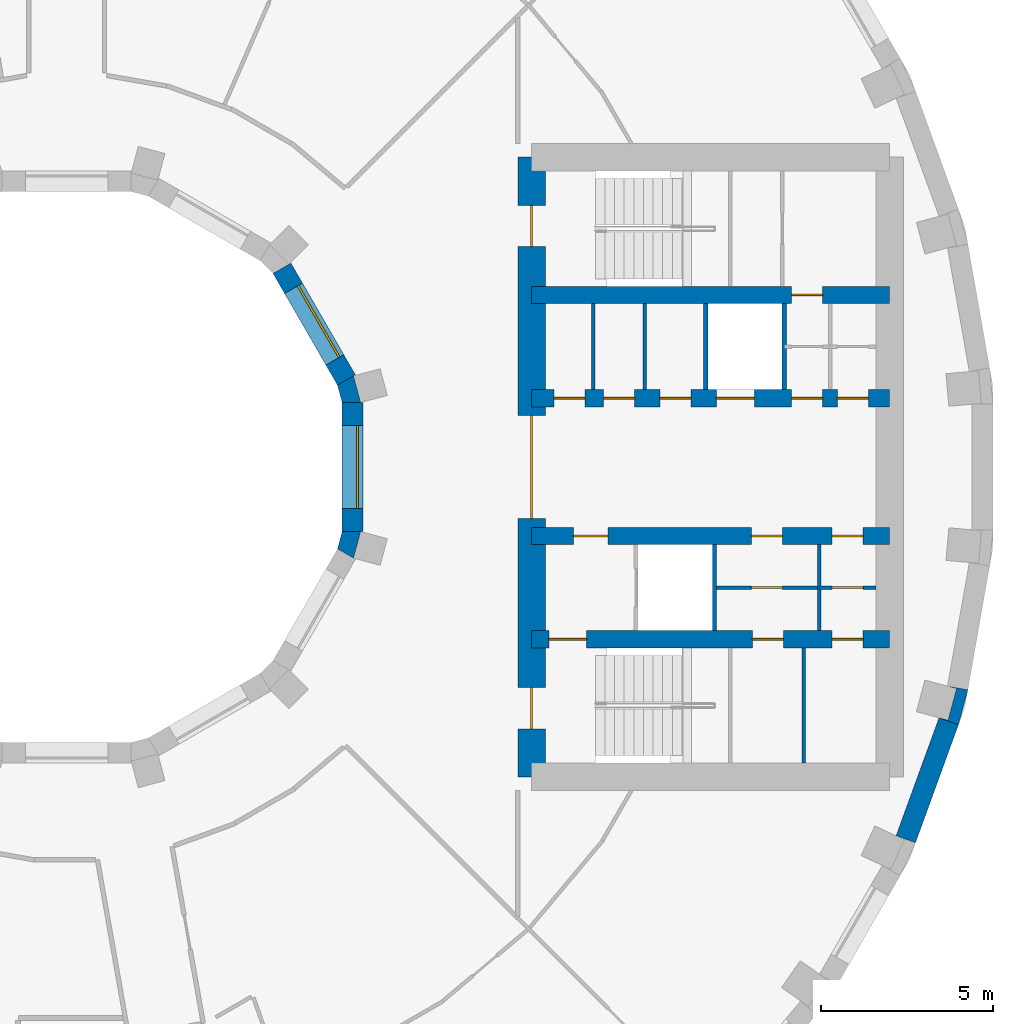
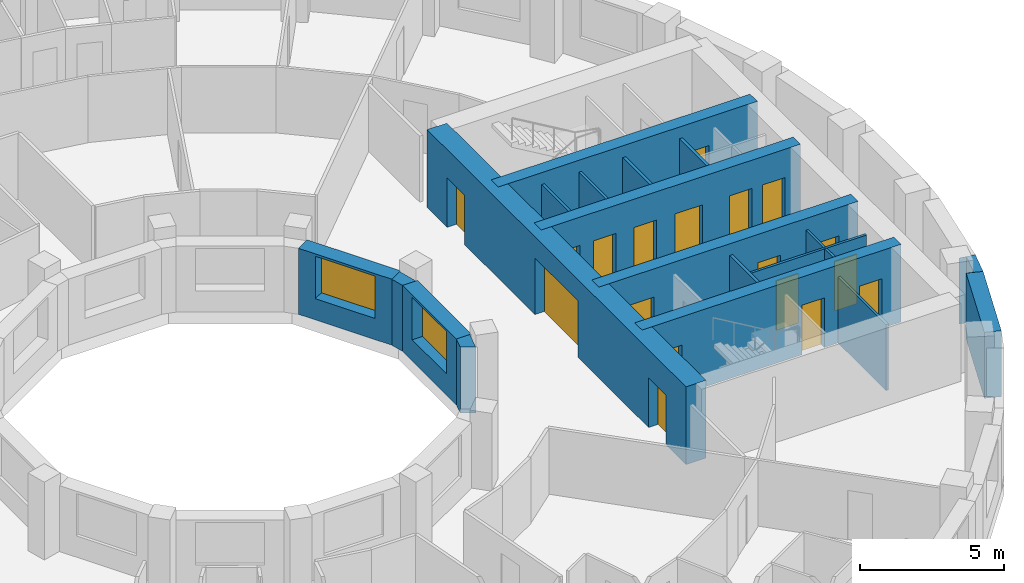
# One storey, part 9 of 14: 20 walls, 18 doors, 2 windows, 20 openings.
"""IFC4 building model written with IfcOpenShell, lengths in metres."""

from ifc_helpers import new_model, si_unit, direction, frame, frame_2d, origin, place, context, subcontext, project, spatial, polyline, rectangle, outline, extrude, material, layer, layer_set, type_object, element, fill, save


model = new_model("IFC4")

# Units and contexts
model_context = context("Model", 3, precision=1e-05, world=origin(), true_north=direction((0.0, 1.0)))
body_context = subcontext(model_context, "Body", "Model", "MODEL_VIEW")
ifc_project = project(units=[si_unit("LENGTHUNIT", "METRE"), si_unit("AREAUNIT", "SQUARE_METRE"), si_unit("VOLUMEUNIT", "CUBIC_METRE"), si_unit("PLANEANGLEUNIT", "RADIAN"), si_unit("MASSUNIT", "GRAM", prefix="KILO")], contexts=[model_context])

# Site, building, storey
site_placement = place(None, origin())
site = spatial("IfcSite", under=ifc_project, at=site_placement, CompositionType="ELEMENT")
building_placement = place(site_placement, origin())
building = spatial("IfcBuilding", under=site, at=building_placement, Name="Saqina Gate Tower", CompositionType="ELEMENT")
storey_placement = place(building_placement, frame((0.0, 0.0, 101.800048828125)))
storey = spatial("IfcBuildingStorey", under=building, at=storey_placement, Name="L28", CompositionType="ELEMENT", Elevation=101.800048828125)

# Walls
ifc_material_1 = material(Name="Brick masonry (buff)", Category="masonry")
wall_type_1 = type_object("IfcWallType", Name="BRICK PIER COPING BUFF", PredefinedType="SOLIDWALL", material=ifc_material_1)
wall_1_placement = place(storey_placement, origin())
element("IfcWall", 1, at=wall_1_placement, inside=storey, type_object=wall_type_1, Name="Pier cap L28 column 35", PredefinedType="SOLIDWALL", context=body_context, shape_type="SweptSolid", body=[
    extrude(outline(polyline([(25.89892578125, -7.485595703125), (26.171875, -6.466796875), (25.5810546875, -6.36279296875), (25.8408203125, -6.43212890625), (25.5947265625, -7.349853515625), (25.335205078125, -7.2802734375), (25.89892578125, -7.485595703125)])), origin(), (0.0, 0.0, 1.0), 2.800048828125),
])
ifc_material_2 = material(Name="Gypsum board on steel studs", Category="steel")
ifc_layer_1 = layer(ifc_material_2, 0.10009765625)
ifc_layer_set_1 = layer_set([ifc_layer_1], Name="CORE PARTITION")
wall_type_2 = type_object("IfcWallType", Name="CORE PARTITION", PredefinedType="PARTITIONING", material=ifc_layer_set_1)
for number, where, z_axis, x_axis, name in (
    (2, (15.298095703125, 2.25, 0.0), (0.0, 0.0, 1.0), (0.0, 1.0, 0.0), "L28-CP-E01"),
    (3, (16.789306640625, 2.25, 0.0), (0.0, 0.0, 1.0), (0.0, 1.0, 0.0), "L28-CP-E02"),
    (4, (21.8583984375, -4.75, 0.0), (0.0, 0.0, 1.0), (0.0, 1.0, 0.0), "L28-CP-E08"),
):
    element("IfcWall", number, at=place(storey_placement, frame(where, z_axis=z_axis, x_axis=x_axis)), inside=storey, type_object=wall_type_2, Name=name, PredefinedType="PARTITIONING", context=body_context, shape_type="SweptSolid", body=[
        extrude(rectangle(XDim=2.5, YDim=0.10009765625, at=frame_2d((1.25, 0.0))), origin(), (0.0, 0.0, 1.0), 2.800048828125),
    ])

# Wall, opening, door
wall_2_placement = place(storey_placement, frame((18.81005859375, -3.5, 0.0), z_axis=(0.0, 0.0, 1.0), x_axis=(1.0, 0.0, 0.0)))
wall_2 = element("IfcWall", 5, at=wall_2_placement, inside=storey, type_object=wall_type_2, Name="L28-CP-E11", PredefinedType="PARTITIONING", context=body_context, shape_type="SweptSolid", body=[
    extrude(rectangle(XDim=3.04833984375, YDim=0.10009765625, at=frame_2d((1.524169921875, 0.0))), origin(), (0.0, 0.0, 1.0), 2.800048828125),
])
opening_1_placement = place(wall_2_placement, frame((1.07421875, 0.0, 0.0)))
opening_1 = element("IfcOpeningElement", 6, at=opening_1_placement, cuts=wall_2, Name="Opening G08-D103", PredefinedType="OPENING", context=body_context, shape_type="SweptSolid", body=[
    extrude(rectangle(XDim=0.89990234375, YDim=2.10009765625, at=frame_2d((0.449951171875, 1.050048828125))), frame((0.0, 0.06201171875, 0.0), z_axis=(0.0, -1.0, 0.0), x_axis=(1.0, 0.0, 0.0)), (0.0, 0.0, 1.0), 0.1240234375),
])
ifc_material_3 = material(Name="Steel-framed fire door leaf, EI 60", Category="steel")
door_type_1 = type_object("IfcDoorType", Name="SERVICE ROOM DOOR 900", OperationType="SINGLE_SWING_LEFT", PredefinedType="DOOR", material=ifc_material_3)
door_1_placement = place(opening_1_placement, frame((0.89990234375, 0.0, 0.0), z_axis=(0.0, 0.0, 1.0), x_axis=(-1.0, 0.0, 0.0)))
door_1 = element("IfcDoor", 7, at=door_1_placement, inside=storey, type_object=door_type_1, Name="L28-CD-E14", OperationType="SINGLE_SWING_RIGHT", OverallHeight=2.10009765625, OverallWidth=0.89990234375, PredefinedType="DOOR", context=body_context, shape_type="SweptSolid", body=[
    extrude(rectangle(XDim=0.89990234375, YDim=2.10009765625, at=frame_2d((0.449951171875, 1.050048828125))), frame((0.0, 0.02490234375, 0.0), z_axis=(0.0, -1.0, 0.0), x_axis=(1.0, 0.0, 0.0)), (0.0, 0.0, 1.0), 0.050048828125),
])
fill(opening_1, door_1)

wall_3_placement = place(storey_placement, frame((21.8583984375, -3.5, 0.0), z_axis=(0.0, 0.0, 1.0), x_axis=(1.0, 0.0, 0.0)))
wall_3 = element("IfcWall", 8, at=wall_3_placement, inside=storey, type_object=wall_type_2, Name="L28-CP-E12", PredefinedType="PARTITIONING", context=body_context, shape_type="SweptSolid", body=[
    extrude(rectangle(XDim=1.6416015625, YDim=0.10009765625, at=frame_2d((0.82080078125, 0.0))), origin(), (0.0, 0.0, 1.0), 2.800048828125),
])
opening_2_placement = place(wall_3_placement, frame((0.370849609375, 0.0, 0.0)))
opening_2 = element("IfcOpeningElement", 9, at=opening_2_placement, cuts=wall_3, Name="Opening G08-D102", PredefinedType="OPENING", context=body_context, shape_type="SweptSolid", body=[
    extrude(rectangle(XDim=0.89990234375, YDim=2.10009765625, at=frame_2d((0.449951171875, 1.050048828125))), frame((0.0, 0.06201171875, 0.0), z_axis=(0.0, -1.0, 0.0), x_axis=(1.0, 0.0, 0.0)), (0.0, 0.0, 1.0), 0.1240234375),
])
door_2_placement = place(opening_2_placement, frame((0.89990234375, 0.0, 0.0), z_axis=(0.0, 0.0, 1.0), x_axis=(-1.0, 0.0, 0.0)))
door_2 = element("IfcDoor", 10, at=door_2_placement, inside=storey, type_object=door_type_1, Name="L28-CD-E13", OperationType="SINGLE_SWING_LEFT", OverallHeight=2.10009765625, OverallWidth=0.89990234375, PredefinedType="DOOR", context=body_context, shape_type="SweptSolid", body=[
    extrude(rectangle(XDim=0.89990234375, YDim=2.10009765625, at=frame_2d((0.449951171875, 1.050048828125))), frame((0.0, 0.02490234375, 0.0), z_axis=(0.0, -1.0, 0.0), x_axis=(1.0, 0.0, 0.0)), (0.0, 0.0, 1.0), 0.050048828125),
])
fill(opening_2, door_2)

# Walls
wall_4_placement = place(storey_placement, frame((21.409912109375, -8.60009765625, 0.0), z_axis=(0.0, 0.0, 1.0), x_axis=(0.0, 1.0, 0.0)))
element("IfcWall", 11, at=wall_4_placement, inside=storey, type_object=wall_type_2, Name="L28-CP-E16", PredefinedType="PARTITIONING", context=body_context, shape_type="SweptSolid", body=[
    extrude(rectangle(XDim=3.35009765625, YDim=0.10009765625, at=frame_2d((1.675048828125, 0.0))), origin(), (0.0, 0.0, 1.0), 2.800048828125),
])
ifc_material_4 = material(Name="Glazed ceramic tile (dark blue)", Category="ceramic")
ifc_layer_2 = layer(ifc_material_4, 0.60009765625)
ifc_layer_set_2 = layer_set([ifc_layer_2], Name="FW-TILE-CB")
wall_type_3 = type_object("IfcWallType", Name="FW-TILE-CB", PredefinedType="SOLIDWALL", material=ifc_layer_set_2)
wall_5_placement = place(storey_placement, frame((24.369384765625, -10.810791015625, 0.0), z_axis=(0.0, 0.0, 1.0), x_axis=(0.341990236633, 0.939703505393, 0.0)))
element("IfcWall", 12, at=wall_5_placement, inside=storey, type_object=wall_type_3, Name="Facade wall L28 facet 34", PredefinedType="SOLIDWALL", context=body_context, shape_type="SweptSolid", body=[
    extrude(rectangle(XDim=3.64794921875, YDim=0.60009765625, at=frame_2d((1.823974609375, 0.0))), origin(), (0.0, 0.0, 1.0), 2.800048828125),
])

# Wall, opening, window
ifc_material_5 = material(Name="Glazed ceramic tile", Category="ceramic")
ifc_layer_3 = layer(ifc_material_5, 0.60009765625)
ifc_layer_set_3 = layer_set([ifc_layer_3], Name="IW-TILE")
wall_type_4 = type_object("IfcWallType", Name="IW-TILE", PredefinedType="SOLIDWALL", material=ifc_layer_set_3)
wall_6_placement = place(storey_placement, frame((8.124755859375, 2.52734375, 0.0), z_axis=(0.0, 0.0, 1.0), x_axis=(-0.499964958637, 0.86604563398, 0.0)))
wall_6 = element("IfcWall", 13, at=wall_6_placement, inside=storey, type_object=wall_type_4, Name="Well wall L28 facet 1", PredefinedType="SOLIDWALL", context=body_context, shape_type="SweptSolid", body=[
    extrude(rectangle(XDim=3.747314453125, YDim=0.60009765625, at=frame_2d((1.87353515625, 0.0))), origin(), (0.0, 0.0, 1.0), 2.800048828125),
])
opening_3_placement = place(wall_6_placement, frame((0.673583984375, 0.0, 0.89990234375)))
opening_3 = element("IfcOpeningElement", 14, at=opening_3_placement, cuts=wall_6, Name="Opening G08-W23", PredefinedType="OPENING", context=body_context, shape_type="SweptSolid", body=[
    extrude(rectangle(XDim=2.39990234375, YDim=1.800048828125, at=frame_2d((1.199951171875, 0.89990234375))), frame((0.0, 0.31201171875, 0.0), z_axis=(0.0, -1.0, 0.0), x_axis=(1.0, 0.0, 0.0)), (0.0, 0.0, 1.0), 0.6240234375),
])
ifc_material_6 = material(Name="Aluminium glazing", Category="aluminium")
window_type = type_object("IfcWindowType", Name="WN-W", PartitioningType="SINGLE_PANEL", PredefinedType="WINDOW", material=ifc_material_6)
window_1_placement = place(opening_3_placement, origin())
window_1 = element("IfcWindow", 15, at=window_1_placement, inside=storey, type_object=window_type, Name="Well window L28 facet 1", OverallHeight=1.800048828125, OverallWidth=2.39990234375, PartitioningType="SINGLE_PANEL", PredefinedType="WINDOW", context=body_context, shape_type="SweptSolid", body=[
    extrude(rectangle(XDim=2.39990234375, YDim=1.800048828125, at=frame_2d((1.199951171875, 0.89990234375))), frame((0.0, -0.119873046875, 0.0), z_axis=(0.0, -1.0, 0.0), x_axis=(1.0, 0.0, 0.0)), (0.0, 0.0, 1.0), 0.06005859375),
])
fill(opening_3, window_1)

wall_7_placement = place(storey_placement, frame((8.300048828125, -1.873779296875, 0.0), z_axis=(0.0, 0.0, 1.0), x_axis=(0.0, 1.0, 0.0)))
wall_7 = element("IfcWall", 16, at=wall_7_placement, inside=storey, type_object=wall_type_4, Name="Well wall L28 facet 12", PredefinedType="SOLIDWALL", context=body_context, shape_type="SweptSolid", body=[
    extrude(rectangle(XDim=3.74755859375, YDim=0.60009765625, at=frame_2d((1.873779296875, 0.0))), origin(), (0.0, 0.0, 1.0), 2.800048828125),
])
opening_4_placement = place(wall_7_placement, frame((0.673583984375, 0.0, 0.89990234375)))
opening_4 = element("IfcOpeningElement", 17, at=opening_4_placement, cuts=wall_7, Name="Opening G08-W34", PredefinedType="OPENING", context=body_context, shape_type="SweptSolid", body=[
    extrude(rectangle(XDim=2.39990234375, YDim=1.800048828125, at=frame_2d((1.199951171875, 0.89990234375))), frame((0.0, 0.31201171875, 0.0), z_axis=(0.0, -1.0, 0.0), x_axis=(1.0, 0.0, 0.0)), (0.0, 0.0, 1.0), 0.6240234375),
])
window_2_placement = place(opening_4_placement, origin())
window_2 = element("IfcWindow", 18, at=window_2_placement, inside=storey, type_object=window_type, Name="Well window L28 facet 12", OverallHeight=1.800048828125, OverallWidth=2.39990234375, PartitioningType="SINGLE_PANEL", PredefinedType="WINDOW", context=body_context, shape_type="SweptSolid", body=[
    extrude(rectangle(XDim=2.39990234375, YDim=1.800048828125, at=frame_2d((1.199951171875, 0.89990234375))), frame((0.0, -0.119873046875, 0.0), z_axis=(0.0, -1.0, 0.0), x_axis=(1.0, 0.0, 0.0)), (0.0, 0.0, 1.0), 0.06005859375),
])
fill(opening_4, window_2)

# Walls
ifc_material_7 = material(Name="Autoclaved aerated concrete block", Category="concrete")
ifc_layer_4 = layer(ifc_material_7, 0.1201171875)
ifc_layer_set_4 = layer_set([ifc_layer_4], Name="SHAFT PARTITION")
wall_type_5 = type_object("IfcWallType", Name="SHAFT PARTITION", PredefinedType="PARTITIONING", material=ifc_layer_set_4)
for number, where, z_axis, x_axis, name in (
    (19, (18.56005859375, 2.25, 0.0), (0.0, 0.0, 1.0), (0.0, 1.0, 0.0), "L28-CP-E03"),
    (20, (20.840087890625, 2.25, 0.0), (0.0, 0.0, 1.0), (0.0, 1.0, 0.0), "L28-CP-E04"),
    (21, (18.81005859375, -4.75, 0.0), (0.0, 0.0, 1.0), (0.0, 1.0, 0.0), "L28-CP-E07"),
):
    element("IfcWall", number, at=place(storey_placement, frame(where, z_axis=z_axis, x_axis=x_axis)), inside=storey, type_object=wall_type_5, Name=name, PredefinedType="PARTITIONING", context=body_context, shape_type="SweptSolid", body=[
        extrude(rectangle(XDim=2.5, YDim=0.1201171875, at=frame_2d((1.25, 0.0))), origin(), (0.0, 0.0, 1.0), 2.800048828125),
    ])

# Wall, opening, door
ifc_material_8 = material(Name="Concrete C70/85", Category="concrete")
ifc_layer_5 = layer(ifc_material_8, 0.5)
ifc_layer_set_5 = layer_set([ifc_layer_5], Name="Concrete C70/85")
wall_type_6 = type_object("IfcWallType", Name="STR-CORE WALL-B-I", PredefinedType="SHEAR", material=ifc_layer_set_5)
wall_8_placement = place(storey_placement, frame((13.5, 5.0, 0.0), z_axis=(0.0, 0.0, 1.0), x_axis=(1.0, 0.0, 0.0)))
wall_8 = element("IfcWall", 22, at=wall_8_placement, inside=storey, type_object=wall_type_6, Name="CORE WALL L28 E-X1", PredefinedType="SHEAR", context=body_context, shape_type="SweptSolid", body=[
    extrude(rectangle(XDim=10.39990234375, YDim=0.5, at=frame_2d((5.199951171875, 0.0))), origin(), (0.0, 0.0, 1.0), 3.300048828125),
])
opening_5_placement = place(wall_8_placement, frame((7.554931640625, 0.0, 0.0)))
opening_5 = element("IfcOpeningElement", 23, at=opening_5_placement, cuts=wall_8, Name="Opening G08-D101", PredefinedType="OPENING", context=body_context, shape_type="SweptSolid", body=[
    extrude(rectangle(XDim=0.89990234375, YDim=2.10009765625, at=frame_2d((0.449951171875, 1.050048828125))), frame((0.0, 0.261962890625, 0.0), z_axis=(0.0, -1.0, 0.0), x_axis=(1.0, 0.0, 0.0)), (0.0, 0.0, 1.0), 0.52392578125),
])
door_3_placement = place(opening_5_placement, origin())
door_3 = element("IfcDoor", 24, at=door_3_placement, inside=storey, type_object=door_type_1, Name="L28-CD-E12", OperationType="SINGLE_SWING_LEFT", OverallHeight=2.10009765625, OverallWidth=0.89990234375, PredefinedType="DOOR", context=body_context, shape_type="SweptSolid", body=[
    extrude(rectangle(XDim=0.89990234375, YDim=2.10009765625, at=frame_2d((0.449951171875, 1.050048828125))), frame((0.0, 0.02490234375, 0.0), z_axis=(0.0, -1.0, 0.0), x_axis=(1.0, 0.0, 0.0)), (0.0, 0.0, 1.0), 0.050048828125),
])
fill(opening_5, door_3)

# Wall, openings, doors
wall_9_placement = place(storey_placement, frame((13.5, -5.0, 0.0), z_axis=(0.0, 0.0, 1.0), x_axis=(1.0, 0.0, 0.0)))
wall_9 = element("IfcWall", 25, at=wall_9_placement, inside=storey, type_object=wall_type_6, Name="CORE WALL L28 E-X2", PredefinedType="SHEAR", context=body_context, shape_type="SweptSolid", body=[
    extrude(rectangle(XDim=10.39990234375, YDim=0.5, at=frame_2d((5.199951171875, 0.0))), origin(), (0.0, 0.0, 1.0), 3.300048828125),
])
opening_6_placement = place(wall_9_placement, frame((6.4150390625, 0.0, 0.0)))
opening_6 = element("IfcOpeningElement", 26, at=opening_6_placement, cuts=wall_9, Name="Opening G08-D104", PredefinedType="OPENING", context=body_context, shape_type="SweptSolid", body=[
    extrude(rectangle(XDim=0.89990234375, YDim=2.10009765625, at=frame_2d((0.449951171875, 1.050048828125))), frame((0.0, 0.261962890625, 0.0), z_axis=(0.0, -1.0, 0.0), x_axis=(1.0, 0.0, 0.0)), (0.0, 0.0, 1.0), 0.52392578125),
])
opening_7_placement = place(wall_9_placement, frame((8.729248046875, 0.0, 0.0)))
opening_7 = element("IfcOpeningElement", 27, at=opening_7_placement, cuts=wall_9, Name="Opening G08-D105", PredefinedType="OPENING", context=body_context, shape_type="SweptSolid", body=[
    extrude(rectangle(XDim=0.89990234375, YDim=2.10009765625, at=frame_2d((0.449951171875, 1.050048828125))), frame((0.0, 0.261962890625, 0.0), z_axis=(0.0, -1.0, 0.0), x_axis=(1.0, 0.0, 0.0)), (0.0, 0.0, 1.0), 0.52392578125),
])
opening_8_placement = place(wall_9_placement, frame((0.5, 0.0, 0.0)))
opening_8 = element("IfcOpeningElement", 28, at=opening_8_placement, cuts=wall_9, Name="Opening G08-D106", PredefinedType="OPENING", context=body_context, shape_type="SweptSolid", body=[
    extrude(rectangle(XDim=1.10009765625, YDim=2.10009765625, at=frame_2d((0.550048828125, 1.050048828125))), frame((0.0, 0.261962890625, 0.0), z_axis=(0.0, -1.0, 0.0), x_axis=(1.0, 0.0, 0.0)), (0.0, 0.0, 1.0), 0.52392578125),
])
ifc_material_9 = material(Name="Steel", Category="steel")
door_type_2 = type_object("IfcDoorType", Name="FIRE LOBBY DOOR EI 60 WIDE", OperationType="SINGLE_SWING_LEFT", PredefinedType="DOOR", material=ifc_material_9)
door_4_placement = place(opening_8_placement, frame((1.10009765625, 0.0, 0.0), z_axis=(0.0, 0.0, 1.0), x_axis=(-1.0, 0.0, 0.0)))
door_4 = element("IfcDoor", 29, at=door_4_placement, inside=storey, type_object=door_type_2, Name="L28-CD-E17", OperationType="SINGLE_SWING_RIGHT", OverallHeight=2.10009765625, OverallWidth=1.10009765625, PredefinedType="DOOR", context=body_context, shape_type="SweptSolid", body=[
    extrude(rectangle(XDim=1.10009765625, YDim=2.10009765625, at=frame_2d((0.550048828125, 1.050048828125))), frame((0.0, 0.02490234375, 0.0), z_axis=(0.0, -1.0, 0.0), x_axis=(1.0, 0.0, 0.0)), (0.0, 0.0, 1.0), 0.050048828125),
])
fill(opening_8, door_4)
door_5_placement = place(opening_6_placement, frame((0.89990234375, 0.0, 0.0), z_axis=(0.0, 0.0, 1.0), x_axis=(-1.0, 0.0, 0.0)))
door_5 = element("IfcDoor", 30, at=door_5_placement, inside=storey, type_object=door_type_1, Name="L28-CD-E15", OperationType="SINGLE_SWING_LEFT", OverallHeight=2.10009765625, OverallWidth=0.89990234375, PredefinedType="DOOR", context=body_context, shape_type="SweptSolid", body=[
    extrude(rectangle(XDim=0.89990234375, YDim=2.10009765625, at=frame_2d((0.449951171875, 1.050048828125))), frame((0.0, 0.02490234375, 0.0), z_axis=(0.0, -1.0, 0.0), x_axis=(1.0, 0.0, 0.0)), (0.0, 0.0, 1.0), 0.050048828125),
])
fill(opening_6, door_5)
door_6_placement = place(opening_7_placement, frame((0.89990234375, 0.0, 0.0), z_axis=(0.0, 0.0, 1.0), x_axis=(-1.0, 0.0, 0.0)))
door_6 = element("IfcDoor", 31, at=door_6_placement, inside=storey, type_object=door_type_1, Name="L28-CD-E16", OperationType="SINGLE_SWING_LEFT", OverallHeight=2.10009765625, OverallWidth=0.89990234375, PredefinedType="DOOR", context=body_context, shape_type="SweptSolid", body=[
    extrude(rectangle(XDim=0.89990234375, YDim=2.10009765625, at=frame_2d((0.449951171875, 1.050048828125))), frame((0.0, 0.02490234375, 0.0), z_axis=(0.0, -1.0, 0.0), x_axis=(1.0, 0.0, 0.0)), (0.0, 0.0, 1.0), 0.050048828125),
])
fill(opening_7, door_6)

wall_10_placement = place(storey_placement, frame((13.5, 2.0, 0.0), z_axis=(0.0, 0.0, 1.0), x_axis=(1.0, 0.0, 0.0)))
wall_10 = element("IfcWall", 32, at=wall_10_placement, inside=storey, type_object=wall_type_6, Name="CORE WALL L28 E-L1", PredefinedType="SHEAR", context=body_context, shape_type="SweptSolid", body=[
    extrude(rectangle(XDim=10.39990234375, YDim=0.5, at=frame_2d((5.199951171875, 0.0))), origin(), (0.0, 0.0, 1.0), 3.300048828125),
])
opening_9_placement = place(wall_10_placement, frame((5.3701171875, 0.0, 0.0)))
opening_9 = element("IfcOpeningElement", 33, at=opening_9_placement, cuts=wall_10, Name="Opening G08-LD1", PredefinedType="OPENING", context=body_context, shape_type="SweptSolid", body=[
    extrude(rectangle(XDim=1.10009765625, YDim=2.10009765625, at=frame_2d((0.550048828125, 1.050048828125))), frame((0.0, 0.261962890625, 0.0), z_axis=(0.0, -1.0, 0.0), x_axis=(1.0, 0.0, 0.0)), (0.0, 0.0, 1.0), 0.52392578125),
])
opening_10_placement = place(wall_10_placement, frame((0.64892578125, 0.0, 0.0)))
opening_10 = element("IfcOpeningElement", 34, at=opening_10_placement, cuts=wall_10, Name="Opening G08-D90", PredefinedType="OPENING", context=body_context, shape_type="SweptSolid", body=[
    extrude(rectangle(XDim=0.89990234375, YDim=2.10009765625, at=frame_2d((0.449951171875, 1.050048828125))), frame((0.0, 0.261962890625, 0.0), z_axis=(0.0, -1.0, 0.0), x_axis=(1.0, 0.0, 0.0)), (0.0, 0.0, 1.0), 0.52392578125),
])
opening_11_placement = place(wall_10_placement, frame((2.093505859375, 0.0, 0.0)))
opening_11 = element("IfcOpeningElement", 35, at=opening_11_placement, cuts=wall_10, Name="Opening G08-D91", PredefinedType="OPENING", context=body_context, shape_type="SweptSolid", body=[
    extrude(rectangle(XDim=0.89990234375, YDim=2.10009765625, at=frame_2d((0.449951171875, 1.050048828125))), frame((0.0, 0.261962890625, 0.0), z_axis=(0.0, -1.0, 0.0), x_axis=(1.0, 0.0, 0.0)), (0.0, 0.0, 1.0), 0.52392578125),
])
opening_12_placement = place(wall_10_placement, frame((3.724609375, 0.0, 0.0)))
opening_12 = element("IfcOpeningElement", 36, at=opening_12_placement, cuts=wall_10, Name="Opening G08-D92", PredefinedType="OPENING", context=body_context, shape_type="SweptSolid", body=[
    extrude(rectangle(XDim=0.89990234375, YDim=2.10009765625, at=frame_2d((0.449951171875, 1.050048828125))), frame((0.0, 0.261962890625, 0.0), z_axis=(0.0, -1.0, 0.0), x_axis=(1.0, 0.0, 0.0)), (0.0, 0.0, 1.0), 0.52392578125),
])
opening_13_placement = place(wall_10_placement, frame((7.554931640625, 0.0, 0.0)))
opening_13 = element("IfcOpeningElement", 37, at=opening_13_placement, cuts=wall_10, Name="Opening G08-D93", PredefinedType="OPENING", context=body_context, shape_type="SweptSolid", body=[
    extrude(rectangle(XDim=0.89990234375, YDim=2.10009765625, at=frame_2d((0.449951171875, 1.050048828125))), frame((0.0, 0.261962890625, 0.0), z_axis=(0.0, -1.0, 0.0), x_axis=(1.0, 0.0, 0.0)), (0.0, 0.0, 1.0), 0.52392578125),
])
opening_14_placement = place(wall_10_placement, frame((8.885009765625, 0.0, 0.0)))
opening_14 = element("IfcOpeningElement", 38, at=opening_14_placement, cuts=wall_10, Name="Opening G08-D94", PredefinedType="OPENING", context=body_context, shape_type="SweptSolid", body=[
    extrude(rectangle(XDim=0.89990234375, YDim=2.10009765625, at=frame_2d((0.449951171875, 1.050048828125))), frame((0.0, 0.261962890625, 0.0), z_axis=(0.0, -1.0, 0.0), x_axis=(1.0, 0.0, 0.0)), (0.0, 0.0, 1.0), 0.52392578125),
])
ifc_material_10 = material(Name="Stainless steel", Category="steel")
door_type_3 = type_object("IfcDoorType", Name="LANDING DOOR", OperationType="DOUBLE_DOOR_SLIDING", PredefinedType="DOOR", material=ifc_material_10)
door_7_placement = place(opening_9_placement, origin())
door_7 = element("IfcDoor", 39, at=door_7_placement, inside=storey, type_object=door_type_3, Name="LANDING DOOR MR1", OperationType="DOUBLE_DOOR_SLIDING", OverallHeight=2.10009765625, OverallWidth=1.10009765625, PredefinedType="DOOR", context=body_context, shape_type="SweptSolid", body=[
    extrude(rectangle(XDim=1.10009765625, YDim=2.10009765625, at=frame_2d((0.550048828125, 1.050048828125))), frame((0.0, 0.02490234375, 0.0), z_axis=(0.0, -1.0, 0.0), x_axis=(1.0, 0.0, 0.0)), (0.0, 0.0, 1.0), 0.050048828125),
])
fill(opening_9, door_7)
door_8_placement = place(opening_10_placement, origin())
door_8 = element("IfcDoor", 40, at=door_8_placement, inside=storey, type_object=door_type_1, Name="L28-CD-E01", OperationType="SINGLE_SWING_LEFT", OverallHeight=2.10009765625, OverallWidth=0.89990234375, PredefinedType="DOOR", context=body_context, shape_type="SweptSolid", body=[
    extrude(rectangle(XDim=0.89990234375, YDim=2.10009765625, at=frame_2d((0.449951171875, 1.050048828125))), frame((0.0, 0.02490234375, 0.0), z_axis=(0.0, -1.0, 0.0), x_axis=(1.0, 0.0, 0.0)), (0.0, 0.0, 1.0), 0.050048828125),
])
fill(opening_10, door_8)
door_9_placement = place(opening_11_placement, origin())
door_9 = element("IfcDoor", 41, at=door_9_placement, inside=storey, type_object=door_type_1, Name="L28-CD-E02", OperationType="SINGLE_SWING_LEFT", OverallHeight=2.10009765625, OverallWidth=0.89990234375, PredefinedType="DOOR", context=body_context, shape_type="SweptSolid", body=[
    extrude(rectangle(XDim=0.89990234375, YDim=2.10009765625, at=frame_2d((0.449951171875, 1.050048828125))), frame((0.0, 0.02490234375, 0.0), z_axis=(0.0, -1.0, 0.0), x_axis=(1.0, 0.0, 0.0)), (0.0, 0.0, 1.0), 0.050048828125),
])
fill(opening_11, door_9)
door_10_placement = place(opening_12_placement, origin())
door_10 = element("IfcDoor", 42, at=door_10_placement, inside=storey, type_object=door_type_1, Name="L28-CD-E03", OperationType="SINGLE_SWING_RIGHT", OverallHeight=2.10009765625, OverallWidth=0.89990234375, PredefinedType="DOOR", context=body_context, shape_type="SweptSolid", body=[
    extrude(rectangle(XDim=0.89990234375, YDim=2.10009765625, at=frame_2d((0.449951171875, 1.050048828125))), frame((0.0, 0.02490234375, 0.0), z_axis=(0.0, -1.0, 0.0), x_axis=(1.0, 0.0, 0.0)), (0.0, 0.0, 1.0), 0.050048828125),
])
fill(opening_12, door_10)
door_11_placement = place(opening_13_placement, origin())
door_11 = element("IfcDoor", 43, at=door_11_placement, inside=storey, type_object=door_type_1, Name="L28-CD-E04", OperationType="SINGLE_SWING_LEFT", OverallHeight=2.10009765625, OverallWidth=0.89990234375, PredefinedType="DOOR", context=body_context, shape_type="SweptSolid", body=[
    extrude(rectangle(XDim=0.89990234375, YDim=2.10009765625, at=frame_2d((0.449951171875, 1.050048828125))), frame((0.0, 0.02490234375, 0.0), z_axis=(0.0, -1.0, 0.0), x_axis=(1.0, 0.0, 0.0)), (0.0, 0.0, 1.0), 0.050048828125),
])
fill(opening_13, door_11)
door_12_placement = place(opening_14_placement, origin())
door_12 = element("IfcDoor", 44, at=door_12_placement, inside=storey, type_object=door_type_1, Name="L28-CD-E05", OperationType="SINGLE_SWING_RIGHT", OverallHeight=2.10009765625, OverallWidth=0.89990234375, PredefinedType="DOOR", context=body_context, shape_type="SweptSolid", body=[
    extrude(rectangle(XDim=0.89990234375, YDim=2.10009765625, at=frame_2d((0.449951171875, 1.050048828125))), frame((0.0, 0.02490234375, 0.0), z_axis=(0.0, -1.0, 0.0), x_axis=(1.0, 0.0, 0.0)), (0.0, 0.0, 1.0), 0.050048828125),
])
fill(opening_14, door_12)

wall_11_placement = place(storey_placement, frame((13.5, -2.0, 0.0), z_axis=(0.0, 0.0, 1.0), x_axis=(1.0, 0.0, 0.0)))
wall_11 = element("IfcWall", 45, at=wall_11_placement, inside=storey, type_object=wall_type_6, Name="CORE WALL L28 E-L2", PredefinedType="SHEAR", context=body_context, shape_type="SweptSolid", body=[
    extrude(rectangle(XDim=10.39990234375, YDim=0.5, at=frame_2d((5.199951171875, 0.0))), origin(), (0.0, 0.0, 1.0), 3.300048828125),
])
opening_15_placement = place(wall_11_placement, frame((1.215087890625, 0.0, 0.0)))
opening_15 = element("IfcOpeningElement", 46, at=opening_15_placement, cuts=wall_11, Name="Opening G08-D95", PredefinedType="OPENING", context=body_context, shape_type="SweptSolid", body=[
    extrude(rectangle(XDim=1.0, YDim=2.10009765625, at=frame_2d((0.5, 1.050048828125))), frame((0.0, 0.261962890625, 0.0), z_axis=(0.0, -1.0, 0.0), x_axis=(1.0, 0.0, 0.0)), (0.0, 0.0, 1.0), 0.52392578125),
])
opening_16_placement = place(wall_11_placement, frame((6.38427734375, 0.0, 0.0)))
opening_16 = element("IfcOpeningElement", 47, at=opening_16_placement, cuts=wall_11, Name="Opening G08-D96", PredefinedType="OPENING", context=body_context, shape_type="SweptSolid", body=[
    extrude(rectangle(XDim=0.89990234375, YDim=2.10009765625, at=frame_2d((0.449951171875, 1.050048828125))), frame((0.0, 0.261962890625, 0.0), z_axis=(0.0, -1.0, 0.0), x_axis=(1.0, 0.0, 0.0)), (0.0, 0.0, 1.0), 0.52392578125),
])
opening_17_placement = place(wall_11_placement, frame((8.729248046875, 0.0, 0.0)))
opening_17 = element("IfcOpeningElement", 48, at=opening_17_placement, cuts=wall_11, Name="Opening G08-D97", PredefinedType="OPENING", context=body_context, shape_type="SweptSolid", body=[
    extrude(rectangle(XDim=0.89990234375, YDim=2.10009765625, at=frame_2d((0.449951171875, 1.050048828125))), frame((0.0, 0.261962890625, 0.0), z_axis=(0.0, -1.0, 0.0), x_axis=(1.0, 0.0, 0.0)), (0.0, 0.0, 1.0), 0.52392578125),
])
ifc_material_11 = material(Name="Steel", Category="steel")
door_type_4 = type_object("IfcDoorType", Name="FIRE LOBBY DOOR EI 60", OperationType="SINGLE_SWING_LEFT", PredefinedType="DOOR", material=ifc_material_11)
door_13_placement = place(opening_15_placement, origin())
door_13 = element("IfcDoor", 49, at=door_13_placement, inside=storey, type_object=door_type_4, Name="L28-CD-E06", OperationType="SINGLE_SWING_LEFT", OverallHeight=2.10009765625, OverallWidth=1.0, PredefinedType="DOOR", context=body_context, shape_type="SweptSolid", body=[
    extrude(rectangle(XDim=1.0, YDim=2.10009765625, at=frame_2d((0.5, 1.050048828125))), frame((0.0, 0.02490234375, 0.0), z_axis=(0.0, -1.0, 0.0), x_axis=(1.0, 0.0, 0.0)), (0.0, 0.0, 1.0), 0.050048828125),
])
fill(opening_15, door_13)
door_14_placement = place(opening_16_placement, frame((0.89990234375, 0.0, 0.0), z_axis=(0.0, 0.0, 1.0), x_axis=(-1.0, 0.0, 0.0)))
door_14 = element("IfcDoor", 50, at=door_14_placement, inside=storey, type_object=door_type_1, Name="L28-CD-E07", OperationType="SINGLE_SWING_LEFT", OverallHeight=2.10009765625, OverallWidth=0.89990234375, PredefinedType="DOOR", context=body_context, shape_type="SweptSolid", body=[
    extrude(rectangle(XDim=0.89990234375, YDim=2.10009765625, at=frame_2d((0.449951171875, 1.050048828125))), frame((0.0, 0.02490234375, 0.0), z_axis=(0.0, -1.0, 0.0), x_axis=(1.0, 0.0, 0.0)), (0.0, 0.0, 1.0), 0.050048828125),
])
fill(opening_16, door_14)
door_15_placement = place(opening_17_placement, frame((0.89990234375, 0.0, 0.0), z_axis=(0.0, 0.0, 1.0), x_axis=(-1.0, 0.0, 0.0)))
door_15 = element("IfcDoor", 51, at=door_15_placement, inside=storey, type_object=door_type_1, Name="L28-CD-E08", OperationType="SINGLE_SWING_LEFT", OverallHeight=2.10009765625, OverallWidth=0.89990234375, PredefinedType="DOOR", context=body_context, shape_type="SweptSolid", body=[
    extrude(rectangle(XDim=0.89990234375, YDim=2.10009765625, at=frame_2d((0.449951171875, 1.050048828125))), frame((0.0, 0.02490234375, 0.0), z_axis=(0.0, -1.0, 0.0), x_axis=(1.0, 0.0, 0.0)), (0.0, 0.0, 1.0), 0.050048828125),
])
fill(opening_17, door_15)

ifc_material_12 = material(Name="Concrete C70/85", Category="concrete")
ifc_layer_6 = layer(ifc_material_12, 0.800048828125)
ifc_layer_set_6 = layer_set([ifc_layer_6], Name="Concrete C70/85")
wall_type_7 = type_object("IfcWallType", Name="STR-CORE WALL-B-O", PredefinedType="SHEAR", material=ifc_layer_set_6)
wall_12_placement = place(storey_placement, frame((13.5, -9.0, 0.0), z_axis=(0.0, 0.0, 1.0), x_axis=(0.0, 1.0, 0.0)))
wall_12 = element("IfcWall", 52, at=wall_12_placement, inside=storey, type_object=wall_type_7, Name="CORE WALL L28 E-W1", PredefinedType="SHEAR", context=body_context, shape_type="SweptSolid", body=[
    extrude(rectangle(XDim=18.0, YDim=0.800048828125, at=frame_2d((9.0, 0.0))), origin(), (0.0, 0.0, 1.0), 3.300048828125),
])
opening_18_placement = place(wall_12_placement, frame((15.39990234375, 0.0, 0.0)))
opening_18 = element("IfcOpeningElement", 53, at=opening_18_placement, cuts=wall_12, Name="Opening G08-D107", PredefinedType="OPENING", context=body_context, shape_type="SweptSolid", body=[
    extrude(rectangle(XDim=1.199951171875, YDim=2.10009765625, at=frame_2d((0.60009765625, 1.050048828125))), frame((0.0, 0.412109375, 0.0), z_axis=(0.0, -1.0, 0.0), x_axis=(1.0, 0.0, 0.0)), (0.0, 0.0, 1.0), 0.823974609375),
])
opening_19_placement = place(wall_12_placement, frame((1.39990234375, 0.0, 0.0)))
opening_19 = element("IfcOpeningElement", 54, at=opening_19_placement, cuts=wall_12, Name="Opening G08-D108", PredefinedType="OPENING", context=body_context, shape_type="SweptSolid", body=[
    extrude(rectangle(XDim=1.199951171875, YDim=2.10009765625, at=frame_2d((0.60009765625, 1.050048828125))), frame((0.0, 0.412109375, 0.0), z_axis=(0.0, -1.0, 0.0), x_axis=(1.0, 0.0, 0.0)), (0.0, 0.0, 1.0), 0.823974609375),
])
opening_20_placement = place(wall_12_placement, frame((7.5, 0.0, 0.0)))
opening_20 = element("IfcOpeningElement", 55, at=opening_20_placement, cuts=wall_12, Name="Opening G08-D109", PredefinedType="OPENING", context=body_context, shape_type="SweptSolid", body=[
    extrude(rectangle(XDim=3.0, YDim=2.39990234375, at=frame_2d((1.5, 1.199951171875))), frame((0.0, 0.412109375, 0.0), z_axis=(0.0, -1.0, 0.0), x_axis=(1.0, 0.0, 0.0)), (0.0, 0.0, 1.0), 0.823974609375),
])
ifc_material_13 = material(Name="Steel", Category="steel")
door_type_5 = type_object("IfcDoorType", Name="FIRE DOOR EI 60", OperationType="SINGLE_SWING_LEFT", PredefinedType="DOOR", material=ifc_material_13)
door_16_placement = place(opening_18_placement, frame((1.199951171875, 0.0, 0.0), z_axis=(0.0, 0.0, 1.0), x_axis=(-1.0, 0.0, 0.0)))
door_16 = element("IfcDoor", 56, at=door_16_placement, inside=storey, type_object=door_type_5, Name="L28-CD-E18", OperationType="SINGLE_SWING_LEFT", OverallHeight=2.10009765625, OverallWidth=1.199951171875, PredefinedType="DOOR", context=body_context, shape_type="SweptSolid", body=[
    extrude(rectangle(XDim=1.199951171875, YDim=2.10009765625, at=frame_2d((0.60009765625, 1.050048828125))), frame((0.0, 0.02490234375, 0.0), z_axis=(0.0, -1.0, 0.0), x_axis=(1.0, 0.0, 0.0)), (0.0, 0.0, 1.0), 0.050048828125),
])
fill(opening_18, door_16)
door_17_placement = place(opening_19_placement, frame((1.199951171875, 0.0, 0.0), z_axis=(0.0, 0.0, 1.0), x_axis=(-1.0, 0.0, 0.0)))
door_17 = element("IfcDoor", 57, at=door_17_placement, inside=storey, type_object=door_type_5, Name="L28-CD-E19", OperationType="SINGLE_SWING_RIGHT", OverallHeight=2.10009765625, OverallWidth=1.199951171875, PredefinedType="DOOR", context=body_context, shape_type="SweptSolid", body=[
    extrude(rectangle(XDim=1.199951171875, YDim=2.10009765625, at=frame_2d((0.60009765625, 1.050048828125))), frame((0.0, 0.02490234375, 0.0), z_axis=(0.0, -1.0, 0.0), x_axis=(1.0, 0.0, 0.0)), (0.0, 0.0, 1.0), 0.050048828125),
])
fill(opening_19, door_17)
ifc_material_14 = material(Name="Steel and fire-resisting glass", Category="steel")
door_type_6 = type_object("IfcDoorType", Name="LOBBY SCREEN DOOR", OperationType="DOUBLE_DOOR_SLIDING", PredefinedType="DOOR", material=ifc_material_14)
door_18_placement = place(opening_20_placement, origin())
door_18 = element("IfcDoor", 58, at=door_18_placement, inside=storey, type_object=door_type_6, Name="L28-CD-E20", OperationType="DOUBLE_DOOR_SLIDING", OverallHeight=2.39990234375, OverallWidth=3.0, PredefinedType="DOOR", context=body_context, shape_type="SweptSolid", body=[
    extrude(rectangle(XDim=3.0, YDim=2.39990234375, at=frame_2d((1.5, 1.199951171875))), frame((0.0, 0.02490234375, 0.0), z_axis=(0.0, -1.0, 0.0), x_axis=(1.0, 0.0, 0.0)), (0.0, 0.0, 1.0), 0.050048828125),
])
fill(opening_20, door_18)

# Walls
ifc_material_15 = material(Name="Glazed ceramic tile", Category="ceramic")
wall_type_8 = type_object("IfcWallType", Name="TILE PIER COPING", PredefinedType="SOLIDWALL", material=ifc_material_15)
wall_13_placement = place(storey_placement, origin())
element("IfcWall", 59, at=wall_13_placement, inside=storey, type_object=wall_type_8, Name="Well pier cap L28 column 1", PredefinedType="SOLIDWALL", context=body_context, shape_type="SweptSolid", body=[
    extrude(outline(polyline([(8.3310546875, 2.646484375), (7.864990234375, 2.377197265625), (8.0, 1.873779296875), (8.5380859375, 1.873779296875), (8.3310546875, 2.646484375)])), origin(), (0.0, 0.0, 1.0), 2.800048828125),
])
wall_14_placement = place(storey_placement, origin())
element("IfcWall", 60, at=wall_14_placement, inside=storey, type_object=wall_type_8, Name="Well pier cap L28 column 12", PredefinedType="SOLIDWALL", context=body_context, shape_type="SweptSolid", body=[
    extrude(outline(polyline([(8.5380859375, -1.873779296875), (8.0, -1.873779296875), (7.864990234375, -2.377197265625), (8.3310546875, -2.646484375), (8.5380859375, -1.873779296875)])), origin(), (0.0, 0.0, 1.0), 2.800048828125),
])

save(model, "model.ifc")
